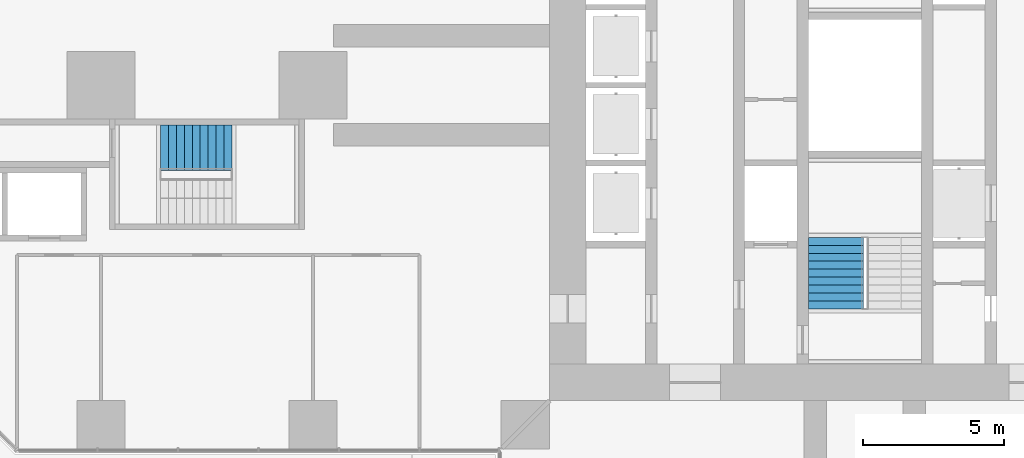
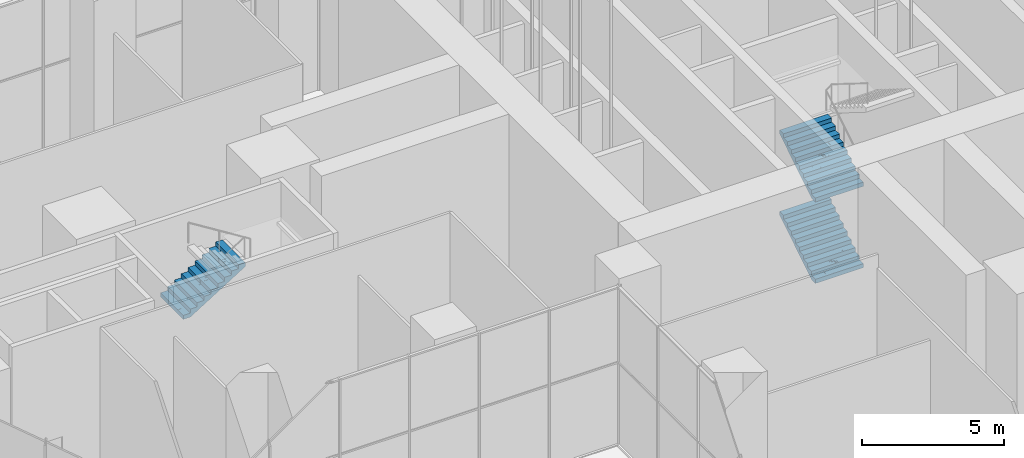
# One storey, part 23 of 43: 3 stair flights, 2 elements without a shape of their own.
"""IFC4 building model written with IfcOpenShell, lengths in metres."""

from ifc_helpers import new_model, si_unit, direction, frame, origin, place, context, subcontext, project, spatial, polyline, outline, extrude, material, type_object, element, aggregate, save


model = new_model("IFC4")

# Units and contexts
model_context = context("Model", 3, precision=1e-05, world=origin(), true_north=direction((0.0, 1.0)))
body_context = subcontext(model_context, "Body", "Model", "MODEL_VIEW")
ifc_project = project(units=[si_unit("LENGTHUNIT", "METRE"), si_unit("AREAUNIT", "SQUARE_METRE"), si_unit("VOLUMEUNIT", "CUBIC_METRE"), si_unit("PLANEANGLEUNIT", "RADIAN"), si_unit("MASSUNIT", "GRAM", prefix="KILO")], contexts=[model_context])

# Site, building, storey
site_placement = place(None, origin())
site = spatial("IfcSite", under=ifc_project, at=site_placement, CompositionType="ELEMENT")
building_placement = place(site_placement, origin())
building = spatial("IfcBuilding", under=site, at=building_placement, Name="Mizan Broadcast Tower", CompositionType="ELEMENT")
storey_placement = place(building_placement, origin())
storey = spatial("IfcBuildingStorey", under=building, at=storey_placement, Name="L00", CompositionType="ELEMENT", Elevation=0.0)

# Stair, stair flights
ifc_material_1 = material(Name="Concrete C40/50", Category="concrete")
stair_type = type_object("IfcStairType", Name="EXIT STAIR", PredefinedType="HALF_TURN_STAIR", material=ifc_material_1)
stair_1_placement = place(storey_placement, origin())
stair_1 = element("IfcStair", 1, at=stair_1_placement, inside=storey, type_object=stair_type, Name="Stair A L00", PredefinedType="HALF_TURN_STAIR")
ifc_material_2 = material(Name="Concrete C40/50", Category="concrete")
stair_flight_type = type_object("IfcStairFlightType", Name="EXIT STAIR FLIGHT", PredefinedType="STRAIGHT", material=ifc_material_2)
stair_flight_1_placement = place(storey_placement, frame((-1.02490234375, -7.89990234375, 0.0), z_axis=(0.0, 0.0, 1.0), x_axis=(0.0, 1.0, 0.0)))
stair_flight_1 = element("IfcStairFlight", 2, at=stair_flight_1_placement, type_object=stair_flight_type, Name="A flight 1", NumberOfRisers=10, NumberOfTreads=9, PredefinedType="STRAIGHT", RiserHeight=0.175, TreadLength=0.28, context=body_context, shape_type="SweptSolid", body=[
    extrude(outline(polyline([(0.0, 0.0), (0.0, 0.175048828125), (0.280029296875, 0.175048828125), (0.280029296875, 0.35009765625), (0.56005859375, 0.35009765625), (0.56005859375, 0.52490234375), (0.840087890625, 0.52490234375), (0.840087890625, 0.699951171875), (1.1201171875, 0.699951171875), (1.1201171875, 0.875), (1.39990234375, 0.875), (1.39990234375, 1.050048828125), (1.679931640625, 1.050048828125), (1.679931640625, 1.22509765625), (1.9599609375, 1.22509765625), (1.9599609375, 1.39990234375), (2.239990234375, 1.39990234375), (2.239990234375, 1.574951171875), (2.52001953125, 1.574951171875), (2.52001953125, 1.75), (2.52001953125, 1.398193359375), (0.28271484375, 0.0), (0.0, 0.0)])), frame((0.0, 0.97509765625, 0.0), z_axis=(0.0, -1.0, 0.0), x_axis=(1.0, 0.0, 0.0)), (0.0, 0.0, 1.0), 0.4873046875),
    extrude(outline(polyline([(0.0, 0.0), (0.0, 0.175048828125), (0.280029296875, 0.175048828125), (0.280029296875, 0.35009765625), (0.56005859375, 0.35009765625), (0.56005859375, 0.52490234375), (0.840087890625, 0.52490234375), (0.840087890625, 0.699951171875), (1.1201171875, 0.699951171875), (1.1201171875, 0.875), (1.39990234375, 0.875), (1.39990234375, 1.050048828125), (1.679931640625, 1.050048828125), (1.679931640625, 1.22509765625), (1.9599609375, 1.22509765625), (1.9599609375, 1.39990234375), (2.239990234375, 1.39990234375), (2.239990234375, 1.574951171875), (2.52001953125, 1.574951171875), (2.52001953125, 1.75), (2.52001953125, 1.398193359375), (0.28271484375, 0.0), (0.0, 0.0)])), frame((0.0, 0.4873046875, 0.0), z_axis=(0.0, -1.0, 0.0), x_axis=(1.0, 0.0, 0.0)), (0.0, 0.0, 1.0), 0.2431640625),
    extrude(outline(polyline([(0.0, 0.0), (0.0, 0.175048828125), (0.280029296875, 0.175048828125), (0.280029296875, 0.35009765625), (0.56005859375, 0.35009765625), (0.56005859375, 0.52490234375), (0.840087890625, 0.52490234375), (0.840087890625, 0.699951171875), (1.1201171875, 0.699951171875), (1.1201171875, 0.875), (1.39990234375, 0.875), (1.39990234375, 1.050048828125), (1.679931640625, 1.050048828125), (1.679931640625, 1.22509765625), (1.9599609375, 1.22509765625), (1.9599609375, 1.39990234375), (2.239990234375, 1.39990234375), (2.239990234375, 1.574951171875), (2.52001953125, 1.574951171875), (2.52001953125, 1.75), (2.52001953125, 1.398193359375), (0.28271484375, 0.0), (0.0, 0.0)])), frame((0.0, 0.24365234375, 0.0), z_axis=(0.0, -1.0, 0.0), x_axis=(1.0, 0.0, 0.0)), (0.0, 0.0, 1.0), 0.121337890625),
    extrude(outline(polyline([(0.0, 0.0), (0.0, 0.175048828125), (0.280029296875, 0.175048828125), (0.280029296875, 0.35009765625), (0.56005859375, 0.35009765625), (0.56005859375, 0.52490234375), (0.840087890625, 0.52490234375), (0.840087890625, 0.699951171875), (1.1201171875, 0.699951171875), (1.1201171875, 0.875), (1.39990234375, 0.875), (1.39990234375, 1.050048828125), (1.679931640625, 1.050048828125), (1.679931640625, 1.22509765625), (1.9599609375, 1.22509765625), (1.9599609375, 1.39990234375), (2.239990234375, 1.39990234375), (2.239990234375, 1.574951171875), (2.52001953125, 1.574951171875), (2.52001953125, 1.75), (2.52001953125, 1.398193359375), (0.28271484375, 0.0), (0.0, 0.0)])), frame((0.0, 0.121826171875, 0.0), z_axis=(0.0, -1.0, 0.0), x_axis=(1.0, 0.0, 0.0)), (0.0, 0.0, 1.0), 0.060546875),
    extrude(outline(polyline([(0.0, 0.0), (0.0, 0.175048828125), (0.280029296875, 0.175048828125), (0.280029296875, 0.35009765625), (0.56005859375, 0.35009765625), (0.56005859375, 0.52490234375), (0.840087890625, 0.52490234375), (0.840087890625, 0.699951171875), (1.1201171875, 0.699951171875), (1.1201171875, 0.875), (1.39990234375, 0.875), (1.39990234375, 1.050048828125), (1.679931640625, 1.050048828125), (1.679931640625, 1.22509765625), (1.9599609375, 1.22509765625), (1.9599609375, 1.39990234375), (2.239990234375, 1.39990234375), (2.239990234375, 1.574951171875), (2.52001953125, 1.574951171875), (2.52001953125, 1.75), (2.52001953125, 1.398193359375), (0.28271484375, 0.0), (0.0, 0.0)])), frame((0.0, 0.060791015625, 0.0), z_axis=(0.0, -1.0, 0.0), x_axis=(1.0, 0.0, 0.0)), (0.0, 0.0, 1.0), 0.030029296875),
    extrude(outline(polyline([(0.0, 0.0), (0.0, 0.175048828125), (0.280029296875, 0.175048828125), (0.280029296875, 0.35009765625), (0.56005859375, 0.35009765625), (0.56005859375, 0.52490234375), (0.840087890625, 0.52490234375), (0.840087890625, 0.699951171875), (1.1201171875, 0.699951171875), (1.1201171875, 0.875), (1.39990234375, 0.875), (1.39990234375, 1.050048828125), (1.679931640625, 1.050048828125), (1.679931640625, 1.22509765625), (1.9599609375, 1.22509765625), (1.9599609375, 1.39990234375), (2.239990234375, 1.39990234375), (2.239990234375, 1.574951171875), (2.52001953125, 1.574951171875), (2.52001953125, 1.75), (2.52001953125, 1.398193359375), (0.28271484375, 0.0), (0.0, 0.0)])), frame((0.0, 0.0302734375, 0.0), z_axis=(0.0, -1.0, 0.0), x_axis=(1.0, 0.0, 0.0)), (0.0, 0.0, 1.0), 0.060302734375),
    extrude(outline(polyline([(0.0, 0.0), (0.0, 0.175048828125), (0.280029296875, 0.175048828125), (0.280029296875, 0.35009765625), (0.56005859375, 0.35009765625), (0.56005859375, 0.52490234375), (0.840087890625, 0.52490234375), (0.840087890625, 0.699951171875), (1.1201171875, 0.699951171875), (1.1201171875, 0.875), (1.39990234375, 0.875), (1.39990234375, 1.050048828125), (1.679931640625, 1.050048828125), (1.679931640625, 1.22509765625), (1.9599609375, 1.22509765625), (1.9599609375, 1.39990234375), (2.239990234375, 1.39990234375), (2.239990234375, 1.574951171875), (2.52001953125, 1.574951171875), (2.52001953125, 1.75), (2.52001953125, 1.398193359375), (0.28271484375, 0.0), (0.0, 0.0)])), frame((0.0, -0.030517578125, 0.0), z_axis=(0.0, -1.0, 0.0), x_axis=(1.0, 0.0, 0.0)), (0.0, 0.0, 1.0), 0.030029296875),
    extrude(outline(polyline([(0.0, 0.0), (0.0, 0.175048828125), (0.280029296875, 0.175048828125), (0.280029296875, 0.35009765625), (0.56005859375, 0.35009765625), (0.56005859375, 0.52490234375), (0.840087890625, 0.52490234375), (0.840087890625, 0.699951171875), (1.1201171875, 0.699951171875), (1.1201171875, 0.875), (1.39990234375, 0.875), (1.39990234375, 1.050048828125), (1.679931640625, 1.050048828125), (1.679931640625, 1.22509765625), (1.9599609375, 1.22509765625), (1.9599609375, 1.39990234375), (2.239990234375, 1.39990234375), (2.239990234375, 1.574951171875), (2.52001953125, 1.574951171875), (2.52001953125, 1.75), (2.52001953125, 1.398193359375), (0.28271484375, 0.0), (0.0, 0.0)])), frame((0.0, -0.06103515625, 0.0), z_axis=(0.0, -1.0, 0.0), x_axis=(1.0, 0.0, 0.0)), (0.0, 0.0, 1.0), 0.060546875),
    extrude(outline(polyline([(0.0, 0.0), (0.0, 0.175048828125), (0.280029296875, 0.175048828125), (0.280029296875, 0.35009765625), (0.56005859375, 0.35009765625), (0.56005859375, 0.52490234375), (0.840087890625, 0.52490234375), (0.840087890625, 0.699951171875), (1.1201171875, 0.699951171875), (1.1201171875, 0.875), (1.39990234375, 0.875), (1.39990234375, 1.050048828125), (1.679931640625, 1.050048828125), (1.679931640625, 1.22509765625), (1.9599609375, 1.22509765625), (1.9599609375, 1.39990234375), (2.239990234375, 1.39990234375), (2.239990234375, 1.574951171875), (2.52001953125, 1.574951171875), (2.52001953125, 1.75), (2.52001953125, 1.398193359375), (0.28271484375, 0.0), (0.0, 0.0)])), frame((0.0, -0.1220703125, 0.0), z_axis=(0.0, -1.0, 0.0), x_axis=(1.0, 0.0, 0.0)), (0.0, 0.0, 1.0), 0.121337890625),
    extrude(outline(polyline([(0.0, 0.0), (0.0, 0.175048828125), (0.280029296875, 0.175048828125), (0.280029296875, 0.35009765625), (0.56005859375, 0.35009765625), (0.56005859375, 0.52490234375), (0.840087890625, 0.52490234375), (0.840087890625, 0.699951171875), (1.1201171875, 0.699951171875), (1.1201171875, 0.875), (1.39990234375, 0.875), (1.39990234375, 1.050048828125), (1.679931640625, 1.050048828125), (1.679931640625, 1.22509765625), (1.9599609375, 1.22509765625), (1.9599609375, 1.39990234375), (2.239990234375, 1.39990234375), (2.239990234375, 1.574951171875), (2.52001953125, 1.574951171875), (2.52001953125, 1.75), (2.52001953125, 1.398193359375), (0.28271484375, 0.0), (0.0, 0.0)])), frame((0.0, -0.243896484375, 0.0), z_axis=(0.0, -1.0, 0.0), x_axis=(1.0, 0.0, 0.0)), (0.0, 0.0, 1.0), 0.2431640625),
    extrude(outline(polyline([(0.0, 0.0), (0.0, 0.175048828125), (0.280029296875, 0.175048828125), (0.280029296875, 0.35009765625), (0.56005859375, 0.35009765625), (0.56005859375, 0.52490234375), (0.840087890625, 0.52490234375), (0.840087890625, 0.699951171875), (1.1201171875, 0.699951171875), (1.1201171875, 0.875), (1.39990234375, 0.875), (1.39990234375, 1.050048828125), (1.679931640625, 1.050048828125), (1.679931640625, 1.22509765625), (1.9599609375, 1.22509765625), (1.9599609375, 1.39990234375), (2.239990234375, 1.39990234375), (2.239990234375, 1.574951171875), (2.52001953125, 1.574951171875), (2.52001953125, 1.75), (2.52001953125, 1.398193359375), (0.28271484375, 0.0), (0.0, 0.0)])), frame((0.0, -0.487548828125, 0.0), z_axis=(0.0, -1.0, 0.0), x_axis=(1.0, 0.0, 0.0)), (0.0, 0.0, 1.0), 0.4873046875),
])
stair_flight_2_placement = place(storey_placement, frame((-1.02490234375, -7.89990234375, 3.5), z_axis=(0.0, 0.0, 1.0), x_axis=(0.0, 1.0, 0.0)))
stair_flight_2 = element("IfcStairFlight", 3, at=stair_flight_2_placement, type_object=stair_flight_type, Name="A flight 3", NumberOfRisers=10, NumberOfTreads=9, PredefinedType="STRAIGHT", RiserHeight=0.175, TreadLength=0.28, context=body_context, shape_type="SweptSolid", body=[
    extrude(outline(polyline([(0.0, 0.0), (0.0, 0.175048828125), (0.280029296875, 0.175048828125), (0.280029296875, 0.35009765625), (0.56005859375, 0.35009765625), (0.56005859375, 0.52490234375), (0.840087890625, 0.52490234375), (0.840087890625, 0.699951171875), (1.1201171875, 0.699951171875), (1.1201171875, 0.875), (1.39990234375, 0.875), (1.39990234375, 1.050048828125), (1.679931640625, 1.050048828125), (1.679931640625, 1.22509765625), (1.9599609375, 1.22509765625), (1.9599609375, 1.39990234375), (2.239990234375, 1.39990234375), (2.239990234375, 1.574951171875), (2.52001953125, 1.574951171875), (2.52001953125, 1.75), (2.52001953125, 1.398193359375), (0.28271484375, 0.0), (0.0, 0.0)])), frame((0.0, 0.97509765625, 0.0), z_axis=(0.0, -1.0, 0.0), x_axis=(1.0, 0.0, 0.0)), (0.0, 0.0, 1.0), 0.4873046875),
    extrude(outline(polyline([(0.0, 0.0), (0.0, 0.175048828125), (0.280029296875, 0.175048828125), (0.280029296875, 0.35009765625), (0.56005859375, 0.35009765625), (0.56005859375, 0.52490234375), (0.840087890625, 0.52490234375), (0.840087890625, 0.699951171875), (1.1201171875, 0.699951171875), (1.1201171875, 0.875), (1.39990234375, 0.875), (1.39990234375, 1.050048828125), (1.679931640625, 1.050048828125), (1.679931640625, 1.22509765625), (1.9599609375, 1.22509765625), (1.9599609375, 1.39990234375), (2.239990234375, 1.39990234375), (2.239990234375, 1.574951171875), (2.52001953125, 1.574951171875), (2.52001953125, 1.75), (2.52001953125, 1.398193359375), (0.28271484375, 0.0), (0.0, 0.0)])), frame((0.0, 0.4873046875, 0.0), z_axis=(0.0, -1.0, 0.0), x_axis=(1.0, 0.0, 0.0)), (0.0, 0.0, 1.0), 0.2431640625),
    extrude(outline(polyline([(0.0, 0.0), (0.0, 0.175048828125), (0.280029296875, 0.175048828125), (0.280029296875, 0.35009765625), (0.56005859375, 0.35009765625), (0.56005859375, 0.52490234375), (0.840087890625, 0.52490234375), (0.840087890625, 0.699951171875), (1.1201171875, 0.699951171875), (1.1201171875, 0.875), (1.39990234375, 0.875), (1.39990234375, 1.050048828125), (1.679931640625, 1.050048828125), (1.679931640625, 1.22509765625), (1.9599609375, 1.22509765625), (1.9599609375, 1.39990234375), (2.239990234375, 1.39990234375), (2.239990234375, 1.574951171875), (2.52001953125, 1.574951171875), (2.52001953125, 1.75), (2.52001953125, 1.398193359375), (0.28271484375, 0.0), (0.0, 0.0)])), frame((0.0, 0.24365234375, 0.0), z_axis=(0.0, -1.0, 0.0), x_axis=(1.0, 0.0, 0.0)), (0.0, 0.0, 1.0), 0.121337890625),
    extrude(outline(polyline([(0.0, 0.0), (0.0, 0.175048828125), (0.280029296875, 0.175048828125), (0.280029296875, 0.35009765625), (0.56005859375, 0.35009765625), (0.56005859375, 0.52490234375), (0.840087890625, 0.52490234375), (0.840087890625, 0.699951171875), (1.1201171875, 0.699951171875), (1.1201171875, 0.875), (1.39990234375, 0.875), (1.39990234375, 1.050048828125), (1.679931640625, 1.050048828125), (1.679931640625, 1.22509765625), (1.9599609375, 1.22509765625), (1.9599609375, 1.39990234375), (2.239990234375, 1.39990234375), (2.239990234375, 1.574951171875), (2.52001953125, 1.574951171875), (2.52001953125, 1.75), (2.52001953125, 1.398193359375), (0.28271484375, 0.0), (0.0, 0.0)])), frame((0.0, 0.121826171875, 0.0), z_axis=(0.0, -1.0, 0.0), x_axis=(1.0, 0.0, 0.0)), (0.0, 0.0, 1.0), 0.060546875),
    extrude(outline(polyline([(0.0, 0.0), (0.0, 0.175048828125), (0.280029296875, 0.175048828125), (0.280029296875, 0.35009765625), (0.56005859375, 0.35009765625), (0.56005859375, 0.52490234375), (0.840087890625, 0.52490234375), (0.840087890625, 0.699951171875), (1.1201171875, 0.699951171875), (1.1201171875, 0.875), (1.39990234375, 0.875), (1.39990234375, 1.050048828125), (1.679931640625, 1.050048828125), (1.679931640625, 1.22509765625), (1.9599609375, 1.22509765625), (1.9599609375, 1.39990234375), (2.239990234375, 1.39990234375), (2.239990234375, 1.574951171875), (2.52001953125, 1.574951171875), (2.52001953125, 1.75), (2.52001953125, 1.398193359375), (0.28271484375, 0.0), (0.0, 0.0)])), frame((0.0, 0.060791015625, 0.0), z_axis=(0.0, -1.0, 0.0), x_axis=(1.0, 0.0, 0.0)), (0.0, 0.0, 1.0), 0.030029296875),
    extrude(outline(polyline([(0.0, 0.0), (0.0, 0.175048828125), (0.280029296875, 0.175048828125), (0.280029296875, 0.35009765625), (0.56005859375, 0.35009765625), (0.56005859375, 0.52490234375), (0.840087890625, 0.52490234375), (0.840087890625, 0.699951171875), (1.1201171875, 0.699951171875), (1.1201171875, 0.875), (1.39990234375, 0.875), (1.39990234375, 1.050048828125), (1.679931640625, 1.050048828125), (1.679931640625, 1.22509765625), (1.9599609375, 1.22509765625), (1.9599609375, 1.39990234375), (2.239990234375, 1.39990234375), (2.239990234375, 1.574951171875), (2.52001953125, 1.574951171875), (2.52001953125, 1.75), (2.52001953125, 1.398193359375), (0.28271484375, 0.0), (0.0, 0.0)])), frame((0.0, 0.0302734375, 0.0), z_axis=(0.0, -1.0, 0.0), x_axis=(1.0, 0.0, 0.0)), (0.0, 0.0, 1.0), 0.060302734375),
    extrude(outline(polyline([(0.0, 0.0), (0.0, 0.175048828125), (0.280029296875, 0.175048828125), (0.280029296875, 0.35009765625), (0.56005859375, 0.35009765625), (0.56005859375, 0.52490234375), (0.840087890625, 0.52490234375), (0.840087890625, 0.699951171875), (1.1201171875, 0.699951171875), (1.1201171875, 0.875), (1.39990234375, 0.875), (1.39990234375, 1.050048828125), (1.679931640625, 1.050048828125), (1.679931640625, 1.22509765625), (1.9599609375, 1.22509765625), (1.9599609375, 1.39990234375), (2.239990234375, 1.39990234375), (2.239990234375, 1.574951171875), (2.52001953125, 1.574951171875), (2.52001953125, 1.75), (2.52001953125, 1.398193359375), (0.28271484375, 0.0), (0.0, 0.0)])), frame((0.0, -0.030517578125, 0.0), z_axis=(0.0, -1.0, 0.0), x_axis=(1.0, 0.0, 0.0)), (0.0, 0.0, 1.0), 0.030029296875),
    extrude(outline(polyline([(0.0, 0.0), (0.0, 0.175048828125), (0.280029296875, 0.175048828125), (0.280029296875, 0.35009765625), (0.56005859375, 0.35009765625), (0.56005859375, 0.52490234375), (0.840087890625, 0.52490234375), (0.840087890625, 0.699951171875), (1.1201171875, 0.699951171875), (1.1201171875, 0.875), (1.39990234375, 0.875), (1.39990234375, 1.050048828125), (1.679931640625, 1.050048828125), (1.679931640625, 1.22509765625), (1.9599609375, 1.22509765625), (1.9599609375, 1.39990234375), (2.239990234375, 1.39990234375), (2.239990234375, 1.574951171875), (2.52001953125, 1.574951171875), (2.52001953125, 1.75), (2.52001953125, 1.398193359375), (0.28271484375, 0.0), (0.0, 0.0)])), frame((0.0, -0.06103515625, 0.0), z_axis=(0.0, -1.0, 0.0), x_axis=(1.0, 0.0, 0.0)), (0.0, 0.0, 1.0), 0.060546875),
    extrude(outline(polyline([(0.0, 0.0), (0.0, 0.175048828125), (0.280029296875, 0.175048828125), (0.280029296875, 0.35009765625), (0.56005859375, 0.35009765625), (0.56005859375, 0.52490234375), (0.840087890625, 0.52490234375), (0.840087890625, 0.699951171875), (1.1201171875, 0.699951171875), (1.1201171875, 0.875), (1.39990234375, 0.875), (1.39990234375, 1.050048828125), (1.679931640625, 1.050048828125), (1.679931640625, 1.22509765625), (1.9599609375, 1.22509765625), (1.9599609375, 1.39990234375), (2.239990234375, 1.39990234375), (2.239990234375, 1.574951171875), (2.52001953125, 1.574951171875), (2.52001953125, 1.75), (2.52001953125, 1.398193359375), (0.28271484375, 0.0), (0.0, 0.0)])), frame((0.0, -0.1220703125, 0.0), z_axis=(0.0, -1.0, 0.0), x_axis=(1.0, 0.0, 0.0)), (0.0, 0.0, 1.0), 0.121337890625),
    extrude(outline(polyline([(0.0, 0.0), (0.0, 0.175048828125), (0.280029296875, 0.175048828125), (0.280029296875, 0.35009765625), (0.56005859375, 0.35009765625), (0.56005859375, 0.52490234375), (0.840087890625, 0.52490234375), (0.840087890625, 0.699951171875), (1.1201171875, 0.699951171875), (1.1201171875, 0.875), (1.39990234375, 0.875), (1.39990234375, 1.050048828125), (1.679931640625, 1.050048828125), (1.679931640625, 1.22509765625), (1.9599609375, 1.22509765625), (1.9599609375, 1.39990234375), (2.239990234375, 1.39990234375), (2.239990234375, 1.574951171875), (2.52001953125, 1.574951171875), (2.52001953125, 1.75), (2.52001953125, 1.398193359375), (0.28271484375, 0.0), (0.0, 0.0)])), frame((0.0, -0.243896484375, 0.0), z_axis=(0.0, -1.0, 0.0), x_axis=(1.0, 0.0, 0.0)), (0.0, 0.0, 1.0), 0.2431640625),
    extrude(outline(polyline([(0.0, 0.0), (0.0, 0.175048828125), (0.280029296875, 0.175048828125), (0.280029296875, 0.35009765625), (0.56005859375, 0.35009765625), (0.56005859375, 0.52490234375), (0.840087890625, 0.52490234375), (0.840087890625, 0.699951171875), (1.1201171875, 0.699951171875), (1.1201171875, 0.875), (1.39990234375, 0.875), (1.39990234375, 1.050048828125), (1.679931640625, 1.050048828125), (1.679931640625, 1.22509765625), (1.9599609375, 1.22509765625), (1.9599609375, 1.39990234375), (2.239990234375, 1.39990234375), (2.239990234375, 1.574951171875), (2.52001953125, 1.574951171875), (2.52001953125, 1.75), (2.52001953125, 1.398193359375), (0.28271484375, 0.0), (0.0, 0.0)])), frame((0.0, -0.487548828125, 0.0), z_axis=(0.0, -1.0, 0.0), x_axis=(1.0, 0.0, 0.0)), (0.0, 0.0, 1.0), 0.4873046875),
])
aggregate(stair_1, [stair_flight_1, stair_flight_2])

# Stair, stair flight
stair_2_placement = place(storey_placement, origin())
stair_2 = element("IfcStair", 4, at=stair_2_placement, inside=storey, type_object=stair_type, Name="Stair D L00", PredefinedType="HALF_TURN_STAIR")
stair_flight_3_placement = place(storey_placement, frame((-24.889892578125, -2.205078125, 3.5), z_axis=(0.0, 0.0, 1.0), x_axis=(1.0, 0.0, 0.0)))
stair_flight_3 = element("IfcStairFlight", 5, at=stair_flight_3_placement, type_object=stair_flight_type, Name="D flight 3", NumberOfRisers=10, NumberOfTreads=9, PredefinedType="STRAIGHT", RiserHeight=0.175, TreadLength=0.28, context=body_context, shape_type="SweptSolid", body=[
    extrude(outline(polyline([(0.0, 0.0), (0.0, 0.175048828125), (0.280029296875, 0.175048828125), (0.280029296875, 0.35009765625), (0.56005859375, 0.35009765625), (0.56005859375, 0.52490234375), (0.840087890625, 0.52490234375), (0.840087890625, 0.699951171875), (1.1201171875, 0.699951171875), (1.1201171875, 0.875), (1.39990234375, 0.875), (1.39990234375, 1.050048828125), (1.679931640625, 1.050048828125), (1.679931640625, 1.22509765625), (1.9599609375, 1.22509765625), (1.9599609375, 1.39990234375), (2.239990234375, 1.39990234375), (2.239990234375, 1.574951171875), (2.52001953125, 1.574951171875), (2.52001953125, 1.75), (2.52001953125, 1.398193359375), (0.28271484375, 0.0), (0.0, 0.0)])), frame((0.0, 0.80517578125, 0.0), z_axis=(0.0, -1.0, 0.0), x_axis=(1.0, 0.0, 0.0)), (0.0, 0.0, 1.0), 0.40234375),
    extrude(outline(polyline([(0.0, 0.0), (0.0, 0.175048828125), (0.280029296875, 0.175048828125), (0.280029296875, 0.35009765625), (0.56005859375, 0.35009765625), (0.56005859375, 0.52490234375), (0.840087890625, 0.52490234375), (0.840087890625, 0.699951171875), (1.1201171875, 0.699951171875), (1.1201171875, 0.875), (1.39990234375, 0.875), (1.39990234375, 1.050048828125), (1.679931640625, 1.050048828125), (1.679931640625, 1.22509765625), (1.9599609375, 1.22509765625), (1.9599609375, 1.39990234375), (2.239990234375, 1.39990234375), (2.239990234375, 1.574951171875), (2.52001953125, 1.574951171875), (2.52001953125, 1.75), (2.52001953125, 1.398193359375), (0.28271484375, 0.0), (0.0, 0.0)])), frame((0.0, 0.40234375, 0.0), z_axis=(0.0, -1.0, 0.0), x_axis=(1.0, 0.0, 0.0)), (0.0, 0.0, 1.0), 0.20068359375),
    extrude(outline(polyline([(0.0, 0.0), (0.0, 0.175048828125), (0.280029296875, 0.175048828125), (0.280029296875, 0.35009765625), (0.56005859375, 0.35009765625), (0.56005859375, 0.52490234375), (0.840087890625, 0.52490234375), (0.840087890625, 0.699951171875), (1.1201171875, 0.699951171875), (1.1201171875, 0.875), (1.39990234375, 0.875), (1.39990234375, 1.050048828125), (1.679931640625, 1.050048828125), (1.679931640625, 1.22509765625), (1.9599609375, 1.22509765625), (1.9599609375, 1.39990234375), (2.239990234375, 1.39990234375), (2.239990234375, 1.574951171875), (2.52001953125, 1.574951171875), (2.52001953125, 1.75), (2.52001953125, 1.398193359375), (0.28271484375, 0.0), (0.0, 0.0)])), frame((0.0, 0.201171875, 0.0), z_axis=(0.0, -1.0, 0.0), x_axis=(1.0, 0.0, 0.0)), (0.0, 0.0, 1.0), 0.10009765625),
    extrude(outline(polyline([(0.0, 0.0), (0.0, 0.175048828125), (0.280029296875, 0.175048828125), (0.280029296875, 0.35009765625), (0.56005859375, 0.35009765625), (0.56005859375, 0.52490234375), (0.840087890625, 0.52490234375), (0.840087890625, 0.699951171875), (1.1201171875, 0.699951171875), (1.1201171875, 0.875), (1.39990234375, 0.875), (1.39990234375, 1.050048828125), (1.679931640625, 1.050048828125), (1.679931640625, 1.22509765625), (1.9599609375, 1.22509765625), (1.9599609375, 1.39990234375), (2.239990234375, 1.39990234375), (2.239990234375, 1.574951171875), (2.52001953125, 1.574951171875), (2.52001953125, 1.75), (2.52001953125, 1.398193359375), (0.28271484375, 0.0), (0.0, 0.0)])), frame((0.0, 0.1005859375, 0.0), z_axis=(0.0, -1.0, 0.0), x_axis=(1.0, 0.0, 0.0)), (0.0, 0.0, 1.0), 0.0498046875),
    extrude(outline(polyline([(0.0, 0.0), (0.0, 0.175048828125), (0.280029296875, 0.175048828125), (0.280029296875, 0.35009765625), (0.56005859375, 0.35009765625), (0.56005859375, 0.52490234375), (0.840087890625, 0.52490234375), (0.840087890625, 0.699951171875), (1.1201171875, 0.699951171875), (1.1201171875, 0.875), (1.39990234375, 0.875), (1.39990234375, 1.050048828125), (1.679931640625, 1.050048828125), (1.679931640625, 1.22509765625), (1.9599609375, 1.22509765625), (1.9599609375, 1.39990234375), (2.239990234375, 1.39990234375), (2.239990234375, 1.574951171875), (2.52001953125, 1.574951171875), (2.52001953125, 1.75), (2.52001953125, 1.398193359375), (0.28271484375, 0.0), (0.0, 0.0)])), frame((0.0, 0.05029296875, 0.0), z_axis=(0.0, -1.0, 0.0), x_axis=(1.0, 0.0, 0.0)), (0.0, 0.0, 1.0), 0.024658203125),
    extrude(outline(polyline([(0.0, 0.0), (0.0, 0.175048828125), (0.280029296875, 0.175048828125), (0.280029296875, 0.35009765625), (0.56005859375, 0.35009765625), (0.56005859375, 0.52490234375), (0.840087890625, 0.52490234375), (0.840087890625, 0.699951171875), (1.1201171875, 0.699951171875), (1.1201171875, 0.875), (1.39990234375, 0.875), (1.39990234375, 1.050048828125), (1.679931640625, 1.050048828125), (1.679931640625, 1.22509765625), (1.9599609375, 1.22509765625), (1.9599609375, 1.39990234375), (2.239990234375, 1.39990234375), (2.239990234375, 1.574951171875), (2.52001953125, 1.574951171875), (2.52001953125, 1.75), (2.52001953125, 1.398193359375), (0.28271484375, 0.0), (0.0, 0.0)])), frame((0.0, 0.025146484375, 0.0), z_axis=(0.0, -1.0, 0.0), x_axis=(1.0, 0.0, 0.0)), (0.0, 0.0, 1.0), 0.050048828125),
    extrude(outline(polyline([(0.0, 0.0), (0.0, 0.175048828125), (0.280029296875, 0.175048828125), (0.280029296875, 0.35009765625), (0.56005859375, 0.35009765625), (0.56005859375, 0.52490234375), (0.840087890625, 0.52490234375), (0.840087890625, 0.699951171875), (1.1201171875, 0.699951171875), (1.1201171875, 0.875), (1.39990234375, 0.875), (1.39990234375, 1.050048828125), (1.679931640625, 1.050048828125), (1.679931640625, 1.22509765625), (1.9599609375, 1.22509765625), (1.9599609375, 1.39990234375), (2.239990234375, 1.39990234375), (2.239990234375, 1.574951171875), (2.52001953125, 1.574951171875), (2.52001953125, 1.75), (2.52001953125, 1.398193359375), (0.28271484375, 0.0), (0.0, 0.0)])), frame((0.0, -0.025390625, 0.0), z_axis=(0.0, -1.0, 0.0), x_axis=(1.0, 0.0, 0.0)), (0.0, 0.0, 1.0), 0.024658203125),
    extrude(outline(polyline([(0.0, 0.0), (0.0, 0.175048828125), (0.280029296875, 0.175048828125), (0.280029296875, 0.35009765625), (0.56005859375, 0.35009765625), (0.56005859375, 0.52490234375), (0.840087890625, 0.52490234375), (0.840087890625, 0.699951171875), (1.1201171875, 0.699951171875), (1.1201171875, 0.875), (1.39990234375, 0.875), (1.39990234375, 1.050048828125), (1.679931640625, 1.050048828125), (1.679931640625, 1.22509765625), (1.9599609375, 1.22509765625), (1.9599609375, 1.39990234375), (2.239990234375, 1.39990234375), (2.239990234375, 1.574951171875), (2.52001953125, 1.574951171875), (2.52001953125, 1.75), (2.52001953125, 1.398193359375), (0.28271484375, 0.0), (0.0, 0.0)])), frame((0.0, -0.050537109375, 0.0), z_axis=(0.0, -1.0, 0.0), x_axis=(1.0, 0.0, 0.0)), (0.0, 0.0, 1.0), 0.0498046875),
    extrude(outline(polyline([(0.0, 0.0), (0.0, 0.175048828125), (0.280029296875, 0.175048828125), (0.280029296875, 0.35009765625), (0.56005859375, 0.35009765625), (0.56005859375, 0.52490234375), (0.840087890625, 0.52490234375), (0.840087890625, 0.699951171875), (1.1201171875, 0.699951171875), (1.1201171875, 0.875), (1.39990234375, 0.875), (1.39990234375, 1.050048828125), (1.679931640625, 1.050048828125), (1.679931640625, 1.22509765625), (1.9599609375, 1.22509765625), (1.9599609375, 1.39990234375), (2.239990234375, 1.39990234375), (2.239990234375, 1.574951171875), (2.52001953125, 1.574951171875), (2.52001953125, 1.75), (2.52001953125, 1.398193359375), (0.28271484375, 0.0), (0.0, 0.0)])), frame((0.0, -0.100830078125, 0.0), z_axis=(0.0, -1.0, 0.0), x_axis=(1.0, 0.0, 0.0)), (0.0, 0.0, 1.0), 0.10009765625),
    extrude(outline(polyline([(0.0, 0.0), (0.0, 0.175048828125), (0.280029296875, 0.175048828125), (0.280029296875, 0.35009765625), (0.56005859375, 0.35009765625), (0.56005859375, 0.52490234375), (0.840087890625, 0.52490234375), (0.840087890625, 0.699951171875), (1.1201171875, 0.699951171875), (1.1201171875, 0.875), (1.39990234375, 0.875), (1.39990234375, 1.050048828125), (1.679931640625, 1.050048828125), (1.679931640625, 1.22509765625), (1.9599609375, 1.22509765625), (1.9599609375, 1.39990234375), (2.239990234375, 1.39990234375), (2.239990234375, 1.574951171875), (2.52001953125, 1.574951171875), (2.52001953125, 1.75), (2.52001953125, 1.398193359375), (0.28271484375, 0.0), (0.0, 0.0)])), frame((0.0, -0.201416015625, 0.0), z_axis=(0.0, -1.0, 0.0), x_axis=(1.0, 0.0, 0.0)), (0.0, 0.0, 1.0), 0.20068359375),
    extrude(outline(polyline([(0.0, 0.0), (0.0, 0.175048828125), (0.280029296875, 0.175048828125), (0.280029296875, 0.35009765625), (0.56005859375, 0.35009765625), (0.56005859375, 0.52490234375), (0.840087890625, 0.52490234375), (0.840087890625, 0.699951171875), (1.1201171875, 0.699951171875), (1.1201171875, 0.875), (1.39990234375, 0.875), (1.39990234375, 1.050048828125), (1.679931640625, 1.050048828125), (1.679931640625, 1.22509765625), (1.9599609375, 1.22509765625), (1.9599609375, 1.39990234375), (2.239990234375, 1.39990234375), (2.239990234375, 1.574951171875), (2.52001953125, 1.574951171875), (2.52001953125, 1.75), (2.52001953125, 1.398193359375), (0.28271484375, 0.0), (0.0, 0.0)])), frame((0.0, -0.402587890625, 0.0), z_axis=(0.0, -1.0, 0.0), x_axis=(1.0, 0.0, 0.0)), (0.0, 0.0, 1.0), 0.40234375),
])
aggregate(stair_2, [stair_flight_3])

save(model, "model.ifc")
